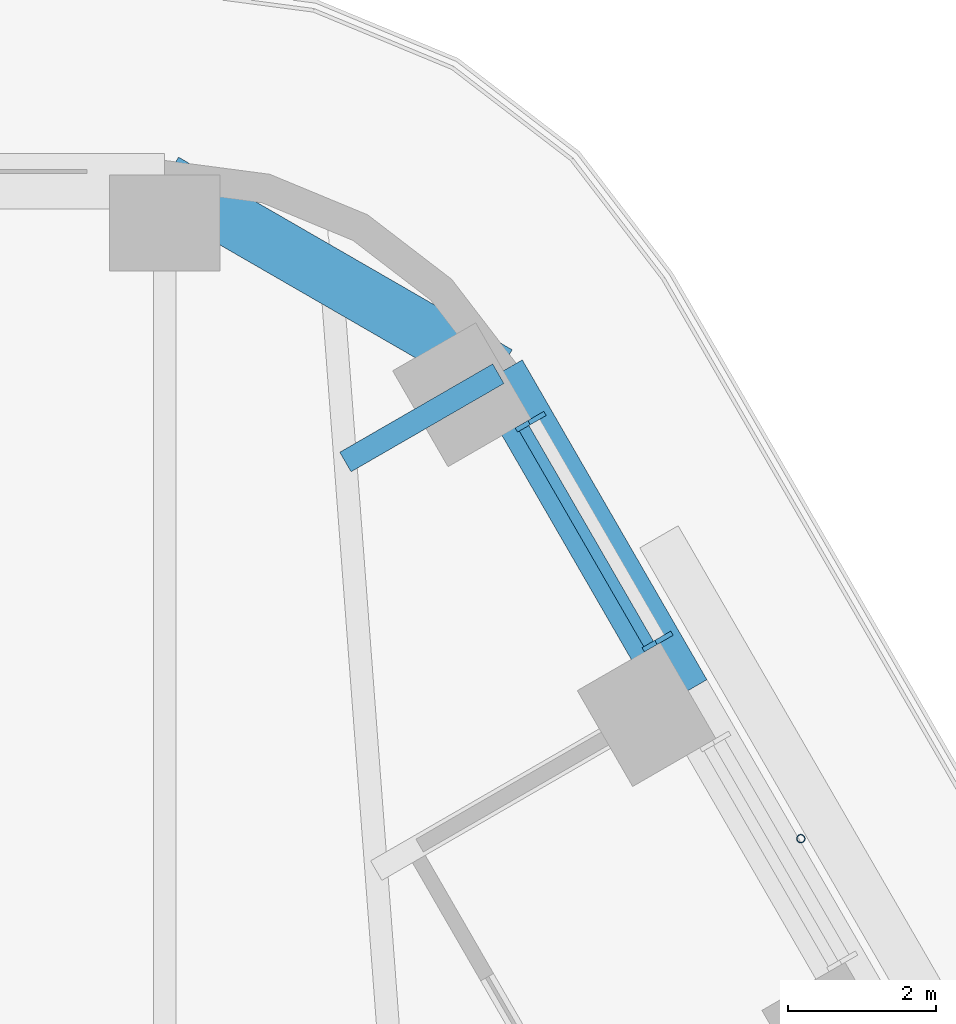
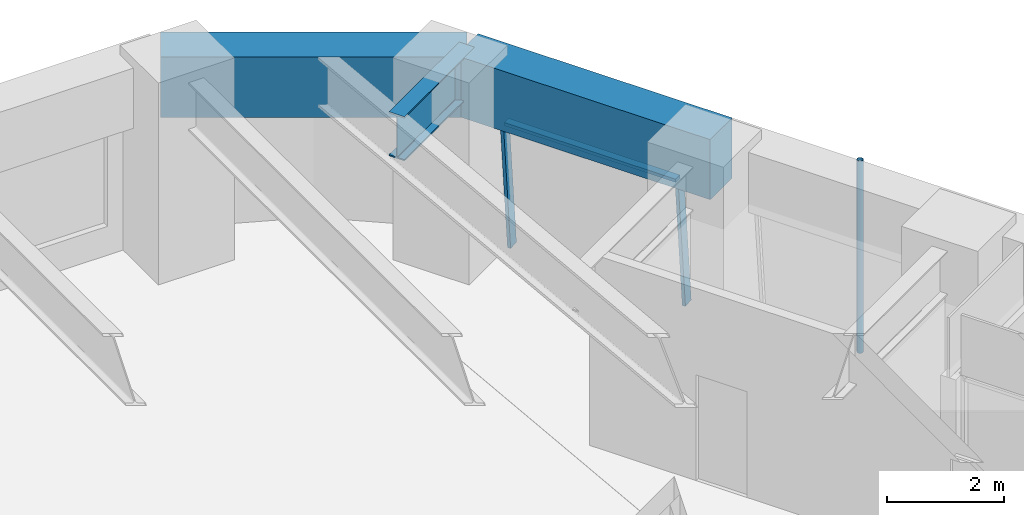
# One storey, part 13 of 24: 4 members, 3 beams, 1 element without a shape of its own.
"""IFC4 building model written with IfcOpenShell, lengths in metres."""

from ifc_helpers import new_model, si_unit, direction, frame, origin, origin_2d, place, context, subcontext, project, spatial, rectangle, hollow_circle, i_section, extrude, material, material_profile, profile_set, type_object, element, aggregate, save


model = new_model("IFC4")

# Units and contexts
model_context = context("Model", 3, precision=1e-05, world=origin(), true_north=direction((0.0, 1.0)))
body_context = subcontext(model_context, "Body", "Model", "MODEL_VIEW")
ifc_project = project(units=[si_unit("LENGTHUNIT", "METRE"), si_unit("AREAUNIT", "SQUARE_METRE"), si_unit("VOLUMEUNIT", "CUBIC_METRE"), si_unit("PLANEANGLEUNIT", "RADIAN"), si_unit("MASSUNIT", "GRAM", prefix="KILO")], contexts=[model_context])

# Site, building, storey
site_placement = place(None, origin())
site = spatial("IfcSite", under=ifc_project, at=site_placement, CompositionType="ELEMENT")
building_placement = place(site_placement, origin())
building = spatial("IfcBuilding", under=site, at=building_placement, Name="Tarfa Lantern Tower", CompositionType="ELEMENT")
storey_placement = place(building_placement, frame((0.0, 0.0, 186.699951171875)))
storey = spatial("IfcBuildingStorey", under=building, at=storey_placement, Name="L42", CompositionType="ELEMENT", Elevation=186.699951171875)

# Curtain wall, members
ifc_material_1 = material(Name="Aluminium framed curtain wall", Category="aluminium")
curtain_wall_type = type_object("IfcCurtainWallType", Name="CW2 CANTED GLAZING MID ZONE 2750", PredefinedType="USERDEFINED", material=ifc_material_1)
curtain_wall_placement = place(storey_placement, origin())
curtain_wall = element("IfcCurtainWall", 1, at=curtain_wall_placement, inside=storey, type_object=curtain_wall_type, Name="CW2 NEB L42", ObjectType="CURTAIN WALL", PredefinedType="USERDEFINED")
ifc_material_2 = material(Name="Aluminium mullion", Category="aluminium")
ifc_material_profile_1 = material_profile(ifc_material_2, rectangle(XDim=0.06494140625, YDim=0.199951171875, at=origin_2d()), Name="AL MULLION 65x200")
ifc_profile_set_1 = profile_set([ifc_material_profile_1], Name="Aluminium mullion")
member_type_1 = type_object("IfcMemberType", Name="CWM1 MULLION 65x200", PredefinedType="MULLION", material=ifc_profile_set_1)
member_1_placement = place(storey_placement, frame((21.79833984375, 25.04443359375, 0.0), z_axis=(-0.078422950161, -0.045267813396, 0.995891894715), x_axis=(0.499919672301, -0.866071776036, 0.0)))
member_1 = element("IfcMember", 2, at=member_1_placement, type_object=member_type_1, Name="CW2 mullion 1", PredefinedType="MULLION", context=body_context, shape_type="SweptSolid", body=[
    extrude(rectangle(XDim=0.06494140625, YDim=0.199951171875, at=origin_2d()), origin(), (0.0, 0.0, 1.0), 2.76123046875),
])
member_2_placement = place(storey_placement, frame((20.078857421875, 28.022216796875, 0.0), z_axis=(-0.078422950161, -0.045267813396, 0.995891894715), x_axis=(0.499919672301, -0.866071776036, 0.0)))
member_2 = element("IfcMember", 3, at=member_2_placement, type_object=member_type_1, Name="CW2 mullion 2", PredefinedType="MULLION", context=body_context, shape_type="SweptSolid", body=[
    extrude(rectangle(XDim=0.06494140625, YDim=0.199951171875, at=origin_2d()), origin(), (0.0, 0.0, 1.0), 2.76123046875),
])
ifc_material_3 = material(Name="Aluminium transom", Category="aluminium")
ifc_material_profile_2 = material_profile(ifc_material_3, rectangle(XDim=0.14990234375, YDim=0.06494140625, at=origin_2d()), Name="AL TRANSOM 150x65")
ifc_profile_set_2 = profile_set([ifc_material_profile_2], Name="Aluminium transom")
member_type_2 = type_object("IfcMemberType", Name="CWT1 TRANSOM 150x65", PredefinedType="USERDEFINED", material=ifc_profile_set_2)
member_3_placement = place(storey_placement, frame((21.568115234375, 24.948974609375, 2.717529296875), z_axis=(-0.500046095904, 0.865998788666, 0.0), x_axis=(-0.865998788666, -0.500046095904, 0.0)))
member_3 = element("IfcMember", 4, at=member_3_placement, type_object=member_type_2, Name="CW2 transom 1.2", ObjectType="TRANSOM", PredefinedType="USERDEFINED", context=body_context, shape_type="SweptSolid", body=[
    extrude(rectangle(XDim=0.14990234375, YDim=0.06494140625, at=origin_2d()), origin(), (0.0, 0.0, 1.0), 3.373779296875),
])
aggregate(curtain_wall, [member_1, member_2, member_3])

# Beams
ifc_material_4 = material(Name="Concrete C80/95", Category="concrete")
ifc_material_profile_3 = material_profile(ifc_material_4, rectangle(XDim=0.75, YDim=1.25, at=origin_2d()), Name="RC 750x1250")
ifc_profile_set_3 = profile_set([ifc_material_profile_3], Name="Concrete C80/95")
beam_type_1 = type_object("IfcBeamType", Name="EB2 RC 750x1250", PredefinedType="SPANDREL", material=ifc_profile_set_3)
beam_1_placement = place(storey_placement, frame((22.03369140625, 24.276611328125, 3.375), z_axis=(-0.500001197378, 0.866024712477, 0.0), x_axis=(-0.866024712477, -0.500001197378, 0.0)))
element("IfcBeam", 5, at=beam_1_placement, inside=storey, type_object=beam_type_1, Name="Edge beam NE5", PredefinedType="SPANDREL", context=body_context, shape_type="SweptSolid", body=[
    extrude(rectangle(XDim=0.75, YDim=1.25, at=origin_2d()), origin(), (0.0, 0.0, 1.0), 5.00390625),
])
beam_2_placement = place(storey_placement, frame((19.53173828125, 28.610107421875, 3.375), z_axis=(-0.86604150238, 0.499972115377, 0.0), x_axis=(-0.499972115377, -0.86604150238, 0.0)))
element("IfcBeam", 6, at=beam_2_placement, inside=storey, type_object=beam_type_1, Name="Edge beam NE6", PredefinedType="SPANDREL", context=body_context, shape_type="SweptSolid", body=[
    extrude(rectangle(XDim=0.75, YDim=1.25, at=origin_2d()), origin(), (0.0, 0.0, 1.0), 5.219970703125),
])

# Member
ifc_material_5 = material(Name="Steel S355", Category="steel")
ifc_material_profile_4 = material_profile(ifc_material_5, hollow_circle(Radius=0.05712890625, WallThickness=0.00634765625, at=origin_2d()), Name="CHS114.3x6.3")
ifc_profile_set_4 = profile_set([ifc_material_profile_4], Name="Steel S355")
member_type_3 = type_object("IfcMemberType", Name="TR1 GREEN WALL TRELLIS CHS114.3x6.3", PredefinedType="USERDEFINED", material=ifc_profile_set_4)
member_4_placement = place(storey_placement, frame((23.630859375, 22.31005859375, 0.0), z_axis=(0.0, 0.0, 1.0), x_axis=(1.0, 0.0, 0.0)))
element("IfcMember", 7, at=member_4_placement, inside=storey, type_object=member_type_3, Name="Trellis post NE 2", ObjectType="TRELLIS", PredefinedType="USERDEFINED", context=body_context, shape_type="SweptSolid", body=[
    extrude(hollow_circle(Radius=0.05712890625, WallThickness=0.00634765625, at=origin_2d()), origin(), (0.0, 0.0, 1.0), 4.0),
])

# Beam
ifc_material_6 = material(Name="Steel S460M", Category="steel")
ifc_material_profile_5 = material_profile(ifc_material_6, i_section(OverallWidth=0.305419921875, OverallDepth=0.91845703125, WebThickness=0.017333984375, FlangeThickness=0.02783203125, FilletRadius=0.01904296875, at=origin_2d()), Name="UB914x305x253")
ifc_profile_set_5 = profile_set([ifc_material_profile_5], Name="Steel S460M")
beam_type_2 = type_object("IfcBeamType", Name="UB914x305x253", PredefinedType="BEAM", material=ifc_profile_set_5)
beam_3_placement = place(storey_placement, frame((19.53173828125, 28.610107421875, 3.540771484375), z_axis=(-0.865998640954, -0.500046351717, 0.0), x_axis=(0.500046351717, -0.865998640954, 0.0)))
element("IfcBeam", 8, at=beam_3_placement, inside=storey, type_object=beam_type_2, Name="Floor beam NE6", PredefinedType="BEAM", context=body_context, shape_type="SweptSolid", body=[
    extrude(i_section(OverallWidth=0.305419921875, OverallDepth=0.91845703125, WebThickness=0.017333984375, FlangeThickness=0.02783203125, FilletRadius=0.01904296875, at=origin_2d()), origin(), (0.0, 0.0, 1.0), 2.392333984375),
])

save(model, "model.ifc")
